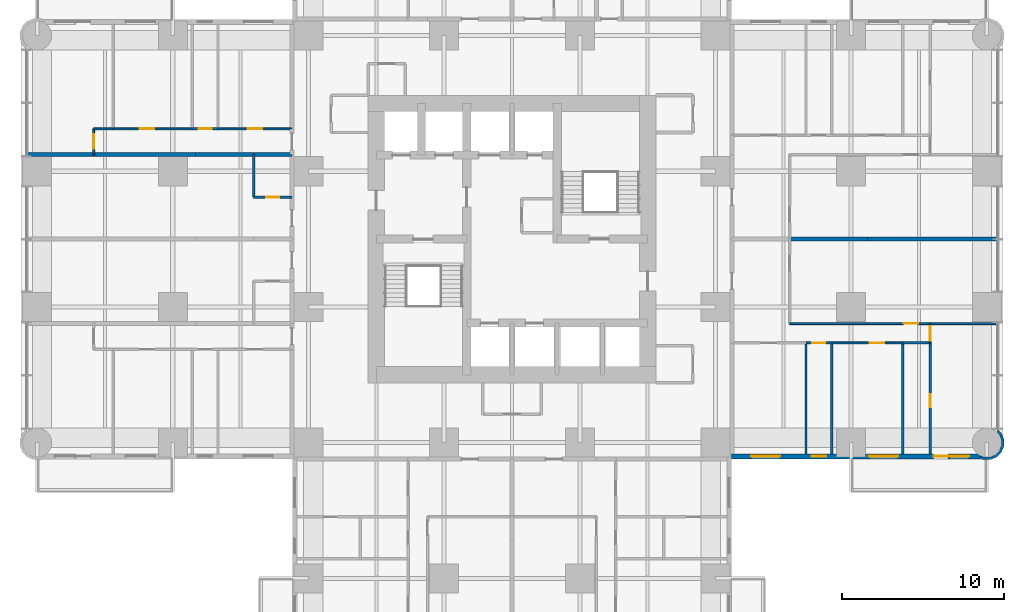
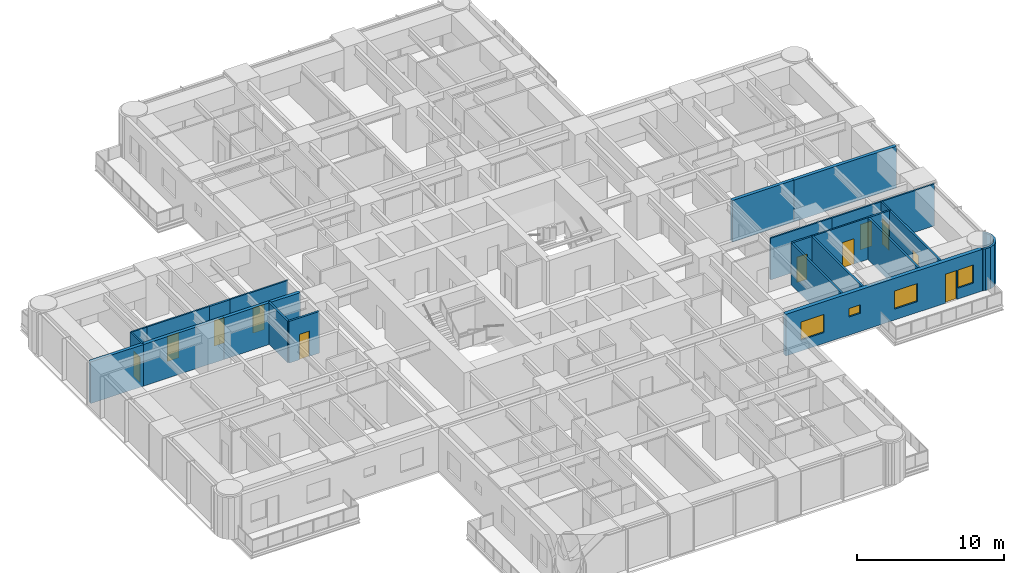
# One storey, part 11 of 17: 26 walls, 11 doors, 4 windows, 15 openings.
"""IFC4 building model written with IfcOpenShell, lengths in metres."""

from ifc_helpers import new_model, si_unit, direction, frame, frame_2d, origin, place, context, subcontext, project, spatial, polyline, rectangle, outline, extrude, material, layer, layer_set, type_object, element, fill, save


model = new_model("IFC4")

# Units and contexts
model_context = context("Model", 3, precision=1e-05, world=origin(), true_north=direction((0.0, 1.0)))
body_context = subcontext(model_context, "Body", "Model", "MODEL_VIEW")
ifc_project = project(units=[si_unit("LENGTHUNIT", "METRE"), si_unit("AREAUNIT", "SQUARE_METRE"), si_unit("VOLUMEUNIT", "CUBIC_METRE"), si_unit("PLANEANGLEUNIT", "RADIAN"), si_unit("MASSUNIT", "GRAM", prefix="KILO")], contexts=[model_context])

# Site, building, storey
site_placement = place(None, origin())
site = spatial("IfcSite", under=ifc_project, at=site_placement, CompositionType="ELEMENT")
building_placement = place(site_placement, origin())
building = spatial("IfcBuilding", under=site, at=building_placement, Name="Torre Alcanfor", CompositionType="ELEMENT")
storey_placement = place(building_placement, frame((0.0, 0.0, 63.300048828125)))
storey = spatial("IfcBuildingStorey", under=building, at=storey_placement, Name="L15", CompositionType="ELEMENT", Elevation=63.300048828125)

# Wall
ifc_material_1 = material(Name="Gypsum board on steel studs", Category="steel")
ifc_layer_1 = layer(ifc_material_1, 0.1201171875)
ifc_layer_set_1 = layer_set([ifc_layer_1], Name="Apartment partition 120")
wall_type_1 = type_object("IfcWallType", Name="Apartment partition 120", PredefinedType="PARTITIONING", material=ifc_layer_set_1)
wall_1_placement = place(storey_placement, frame((51.39990234375, 24.1708984375, 0.0), z_axis=(0.0, 0.0, 1.0), x_axis=(-1.0, 0.0, 0.0)))
element("IfcWall", 1, at=wall_1_placement, inside=storey, type_object=wall_type_1, Name="Partition L15-E2-KITCHEN / L15-E2-HALL", PredefinedType="PARTITIONING", context=body_context, shape_type="SweptSolid", body=[
    extrude(rectangle(XDim=4.7998046875, YDim=0.1201171875, at=frame_2d((2.39990234375, 0.0))), origin(), (0.0, 0.0, 1.0), 3.449951171875),
])

# Wall, opening, door
wall_2_placement = place(storey_placement, frame((55.300048828125, 24.1708984375, 0.0), z_axis=(0.0, 0.0, 1.0), x_axis=(-1.0, 0.0, 0.0)))
wall_2 = element("IfcWall", 2, at=wall_2_placement, inside=storey, type_object=wall_type_1, Name="Partition L15-E2-LIVING / L15-E2-HALL", PredefinedType="PARTITIONING", context=body_context, shape_type="SweptSolid", body=[
    extrude(rectangle(XDim=3.900146484375, YDim=0.1201171875, at=frame_2d((1.9501953125, 0.0))), origin(), (0.0, 0.0, 1.0), 3.449951171875),
])
opening_1_placement = place(wall_2_placement, frame((0.75, 0.0, 0.0)))
opening_1 = element("IfcOpeningElement", 3, at=opening_1_placement, cuts=wall_2, Name="Opening D-R1", PredefinedType="OPENING", context=body_context, shape_type="SweptSolid", body=[
    extrude(rectangle(XDim=0.89990234375, YDim=2.10009765625, at=frame_2d((0.449951171875, 1.050048828125))), frame((0.0, 0.070068359375, 0.0), z_axis=(0.0, -1.0, 0.0), x_axis=(1.0, 0.0, 0.0)), (0.0, 0.0, 1.0), 0.14013671875),
])
ifc_material_2 = material(Name="Timber", Category="wood")
door_type_1 = type_object("IfcDoorType", Name="Internal door 900x2100", OperationType="SINGLE_SWING_LEFT", PredefinedType="DOOR", material=ifc_material_2)
door_1_placement = place(opening_1_placement, frame((0.89990234375, 0.0, 0.0), z_axis=(0.0, 0.0, 1.0), x_axis=(-1.0, 0.0, 0.0)))
door_1 = element("IfcDoor", 4, at=door_1_placement, inside=storey, type_object=door_type_1, Name="Door L15-E2 living", OperationType="SINGLE_SWING_LEFT", OverallHeight=2.10009765625, OverallWidth=0.89990234375, PredefinedType="DOOR", context=body_context, shape_type="SweptSolid", body=[
    extrude(rectangle(XDim=0.89990234375, YDim=2.10009765625, at=frame_2d((0.449951171875, 1.050048828125))), frame((0.0, 0.025146484375, 0.0), z_axis=(0.0, -1.0, 0.0), x_axis=(1.0, 0.0, 0.0)), (0.0, 0.0, 1.0), 0.050048828125),
])
fill(opening_1, door_1)

# Wall
wall_3_placement = place(storey_placement, frame((59.449951171875, 24.1708984375, 0.0), z_axis=(0.0, 0.0, 1.0), x_axis=(-1.0, 0.0, 0.0)))
element("IfcWall", 5, at=wall_3_placement, inside=storey, type_object=wall_type_1, Name="Partition L15-E2-LIVING / L15-E2-MASTER", PredefinedType="PARTITIONING", context=body_context, shape_type="SweptSolid", body=[
    extrude(rectangle(XDim=4.14990234375, YDim=0.1201171875, at=frame_2d((2.074951171875, 0.0))), origin(), (0.0, 0.0, 1.0), 3.449951171875),
])

# Wall, opening, door
wall_4_placement = place(storey_placement, frame((53.60009765625, 22.970947265625, 0.0), z_axis=(0.0, 0.0, 1.0), x_axis=(-1.0, 0.0, 0.0)))
wall_4 = element("IfcWall", 6, at=wall_4_placement, inside=storey, type_object=wall_type_1, Name="Partition L15-E2-HALL / L15-E2-BED2", PredefinedType="PARTITIONING", context=body_context, shape_type="SweptSolid", body=[
    extrude(rectangle(XDim=4.400146484375, YDim=0.1201171875, at=frame_2d((2.2001953125, 0.0))), origin(), (0.0, 0.0, 1.0), 3.449951171875),
])
opening_2_placement = place(wall_4_placement, frame((1.14990234375, 0.0, 0.0)))
opening_2 = element("IfcOpeningElement", 7, at=opening_2_placement, cuts=wall_4, Name="Opening D-R1", PredefinedType="OPENING", context=body_context, shape_type="SweptSolid", body=[
    extrude(rectangle(XDim=0.89990234375, YDim=2.10009765625, at=frame_2d((0.449951171875, 1.050048828125))), frame((0.0, 0.070068359375, 0.0), z_axis=(0.0, -1.0, 0.0), x_axis=(1.0, 0.0, 0.0)), (0.0, 0.0, 1.0), 0.14013671875),
])
door_2_placement = place(opening_2_placement, origin())
door_2 = element("IfcDoor", 8, at=door_2_placement, inside=storey, type_object=door_type_1, Name="Door L15-E2 bed2", OperationType="SINGLE_SWING_LEFT", OverallHeight=2.10009765625, OverallWidth=0.89990234375, PredefinedType="DOOR", context=body_context, shape_type="SweptSolid", body=[
    extrude(rectangle(XDim=0.89990234375, YDim=2.10009765625, at=frame_2d((0.449951171875, 1.050048828125))), frame((0.0, 0.02490234375, 0.0), z_axis=(0.0, -1.0, 0.0), x_axis=(1.0, 0.0, 0.0)), (0.0, 0.0, 1.0), 0.050048828125),
])
fill(opening_2, door_2)

wall_5_placement = place(storey_placement, frame((55.300048828125, 24.1708984375, 0.0), z_axis=(0.0, 0.0, 1.0), x_axis=(0.0, -1.0, 0.0)))
wall_5 = element("IfcWall", 9, at=wall_5_placement, inside=storey, type_object=wall_type_1, Name="Partition L15-E2-HALL / L15-E2-MASTER", PredefinedType="PARTITIONING", context=body_context, shape_type="SweptSolid", body=[
    extrude(rectangle(XDim=1.199951171875, YDim=0.1201171875, at=frame_2d((0.60009765625, 0.0))), origin(), (0.0, 0.0, 1.0), 3.449951171875),
])
opening_3_placement = place(wall_5_placement, frame((0.15087890625, 0.0, 0.0)))
opening_3 = element("IfcOpeningElement", 10, at=opening_3_placement, cuts=wall_5, Name="Opening D-R1", PredefinedType="OPENING", context=body_context, shape_type="SweptSolid", body=[
    extrude(rectangle(XDim=0.89990234375, YDim=2.10009765625, at=frame_2d((0.449951171875, 1.050048828125))), frame((0.0, 0.070068359375, 0.0), z_axis=(0.0, -1.0, 0.0), x_axis=(1.0, 0.0, 0.0)), (0.0, 0.0, 1.0), 0.14013671875),
])
door_3_placement = place(opening_3_placement, origin())
door_3 = element("IfcDoor", 11, at=door_3_placement, inside=storey, type_object=door_type_1, Name="Door L15-E2 master", OperationType="SINGLE_SWING_LEFT", OverallHeight=2.10009765625, OverallWidth=0.89990234375, PredefinedType="DOOR", context=body_context, shape_type="SweptSolid", body=[
    extrude(rectangle(XDim=0.89990234375, YDim=2.10009765625, at=frame_2d((0.449951171875, 1.050048828125))), frame((0.0, 0.02490234375, 0.0), z_axis=(0.0, -1.0, 0.0), x_axis=(1.0, 0.0, 0.0)), (0.0, 0.0, 1.0), 0.050048828125),
])
fill(opening_3, door_3)

wall_6_placement = place(storey_placement, frame((11.199951171875, 36.22900390625, 0.0), z_axis=(0.0, 0.0, 1.0), x_axis=(1.0, 0.0, 0.0)))
wall_6 = element("IfcWall", 12, at=wall_6_placement, inside=storey, type_object=wall_type_1, Name="Partition L15-W2B-HALL / L15-W2B-BED2", PredefinedType="PARTITIONING", context=body_context, shape_type="SweptSolid", body=[
    extrude(rectangle(XDim=4.574951171875, YDim=0.1201171875, at=frame_2d((2.28759765625, 0.0))), origin(), (0.0, 0.0, 1.0), 3.449951171875),
])
opening_4_placement = place(wall_6_placement, frame((1.85009765625, 0.0, 0.0)))
opening_4 = element("IfcOpeningElement", 13, at=opening_4_placement, cuts=wall_6, Name="Opening D-R1", PredefinedType="OPENING", context=body_context, shape_type="SweptSolid", body=[
    extrude(rectangle(XDim=0.89990234375, YDim=2.10009765625, at=frame_2d((0.449951171875, 1.050048828125))), frame((0.0, 0.070068359375, 0.0), z_axis=(0.0, -1.0, 0.0), x_axis=(1.0, 0.0, 0.0)), (0.0, 0.0, 1.0), 0.14013671875),
])
door_4_placement = place(opening_4_placement, origin())
door_4 = element("IfcDoor", 14, at=door_4_placement, inside=storey, type_object=door_type_1, Name="Door L15-W2B bed2", OperationType="SINGLE_SWING_RIGHT", OverallHeight=2.10009765625, OverallWidth=0.89990234375, PredefinedType="DOOR", context=body_context, shape_type="SweptSolid", body=[
    extrude(rectangle(XDim=0.89990234375, YDim=2.10009765625, at=frame_2d((0.449951171875, 1.050048828125))), frame((0.0, 0.02490234375, 0.0), z_axis=(0.0, -1.0, 0.0), x_axis=(1.0, 0.0, 0.0)), (0.0, 0.0, 1.0), 0.050048828125),
])
fill(opening_4, door_4)

wall_7_placement = place(storey_placement, frame((4.699951171875, 36.22900390625, 0.0), z_axis=(0.0, 0.0, 1.0), x_axis=(1.0, 0.0, 0.0)))
wall_7 = element("IfcWall", 15, at=wall_7_placement, inside=storey, type_object=wall_type_1, Name="Partition L15-W2B-HALL / L15-W2B-MASTER", PredefinedType="PARTITIONING", context=body_context, shape_type="SweptSolid", body=[
    extrude(rectangle(XDim=4.900146484375, YDim=0.1201171875, at=frame_2d((2.4501953125, 0.0))), origin(), (0.0, 0.0, 1.0), 3.449951171875),
])
opening_5_placement = place(wall_7_placement, frame((1.64990234375, 0.0, 0.0)))
opening_5 = element("IfcOpeningElement", 16, at=opening_5_placement, cuts=wall_7, Name="Opening D-R1", PredefinedType="OPENING", context=body_context, shape_type="SweptSolid", body=[
    extrude(rectangle(XDim=0.89990234375, YDim=2.10009765625, at=frame_2d((0.449951171875, 1.050048828125))), frame((0.0, 0.070068359375, 0.0), z_axis=(0.0, -1.0, 0.0), x_axis=(1.0, 0.0, 0.0)), (0.0, 0.0, 1.0), 0.14013671875),
])
door_5_placement = place(opening_5_placement, origin())
door_5 = element("IfcDoor", 17, at=door_5_placement, inside=storey, type_object=door_type_1, Name="Door L15-W2B master", OperationType="SINGLE_SWING_LEFT", OverallHeight=2.10009765625, OverallWidth=0.89990234375, PredefinedType="DOOR", context=body_context, shape_type="SweptSolid", body=[
    extrude(rectangle(XDim=0.89990234375, YDim=2.10009765625, at=frame_2d((0.449951171875, 1.050048828125))), frame((0.0, 0.02490234375, 0.0), z_axis=(0.0, -1.0, 0.0), x_axis=(1.0, 0.0, 0.0)), (0.0, 0.0, 1.0), 0.050048828125),
])
fill(opening_5, door_5)

# Wall
wall_8_placement = place(storey_placement, frame((3.5, 36.22900390625, 0.0), z_axis=(0.0, 0.0, 1.0), x_axis=(1.0, 0.0, 0.0)))
element("IfcWall", 18, at=wall_8_placement, inside=storey, type_object=wall_type_1, Name="Partition L15-W2B-HALL / L15-W2B-KITCHEN", PredefinedType="PARTITIONING", context=body_context, shape_type="SweptSolid", body=[
    extrude(rectangle(XDim=1.199951171875, YDim=0.1201171875, at=frame_2d((0.60009765625, 0.0))), origin(), (0.0, 0.0, 1.0), 3.449951171875),
])

# Wall, opening, door
wall_9_placement = place(storey_placement, frame((3.5, 34.62890625, 0.0), z_axis=(0.0, 0.0, 1.0), x_axis=(0.0, 1.0, 0.0)))
wall_9 = element("IfcWall", 19, at=wall_9_placement, inside=storey, type_object=wall_type_1, Name="Partition L15-W2B-HALL / L15-W2B-LIVING", PredefinedType="PARTITIONING", context=body_context, shape_type="SweptSolid", body=[
    extrude(rectangle(XDim=1.60009765625, YDim=0.1201171875, at=frame_2d((0.800048828125, 0.0))), origin(), (0.0, 0.0, 1.0), 3.449951171875),
])
opening_6_placement = place(wall_9_placement, frame((0.35009765625, 0.0, 0.0)))
opening_6 = element("IfcOpeningElement", 20, at=opening_6_placement, cuts=wall_9, Name="Opening D-R1", PredefinedType="OPENING", context=body_context, shape_type="SweptSolid", body=[
    extrude(rectangle(XDim=0.89990234375, YDim=2.10009765625, at=frame_2d((0.449951171875, 1.050048828125))), frame((0.0, 0.070068359375, 0.0), z_axis=(0.0, -1.0, 0.0), x_axis=(1.0, 0.0, 0.0)), (0.0, 0.0, 1.0), 0.14013671875),
])
door_6_placement = place(opening_6_placement, origin())
door_6 = element("IfcDoor", 21, at=door_6_placement, inside=storey, type_object=door_type_1, Name="Door L15-W2B living", OperationType="SINGLE_SWING_LEFT", OverallHeight=2.10009765625, OverallWidth=0.89990234375, PredefinedType="DOOR", context=body_context, shape_type="SweptSolid", body=[
    extrude(rectangle(XDim=0.89990234375, YDim=2.10009765625, at=frame_2d((0.449951171875, 1.050048828125))), frame((0.0, 0.02490234375, 0.0), z_axis=(0.0, -1.0, 0.0), x_axis=(1.0, 0.0, 0.0)), (0.0, 0.0, 1.0), 0.050048828125),
])
fill(opening_6, door_6)

# Wall, openings, door, windows
ifc_material_3 = material(Name="Limestone cladding", Category="masonry")
ifc_layer_2 = layer(ifc_material_3, 0.0400390625, Name="Facing")
ifc_material_4 = material(Name="Ventilated air cavity")
ifc_layer_3 = layer(ifc_material_4, 0.02001953125, ventilated=True, Name="Ventilated joint")
ifc_material_5 = material(Name="Mineral wool insulation", Category="insulation")
ifc_layer_4 = layer(ifc_material_5, 0.10009765625, Name="Insulation")
ifc_material_6 = material(Name="Concrete f'c 35 MPa", Category="concrete")
ifc_layer_5 = layer(ifc_material_6, 0.139892578125, Name="Backing")
ifc_layer_set_2 = layer_set([ifc_layer_2, ifc_layer_3, ifc_layer_4, ifc_layer_5], Name="External wall stone-clad 300")
wall_type_2 = type_object("IfcWallType", Name="External wall stone-clad 300", PredefinedType="SOLIDWALL", material=ifc_layer_set_2)
wall_10_placement = place(storey_placement, frame((43.0, 15.949951171875, 0.0), z_axis=(0.0, 0.0, 1.0), x_axis=(1.0, 0.0, 0.0)))
wall_10 = element("IfcWall", 22, at=wall_10_placement, inside=storey, type_object=wall_type_2, Name="External wall L15 7", PredefinedType="SOLIDWALL", context=body_context, shape_type="SweptSolid", body=[
    extrude(rectangle(XDim=15.39990234375, YDim=0.300048828125, at=frame_2d((7.699951171875, 0.0))), origin(), (0.0, 0.0, 1.0), 3.449951171875),
])
opening_7_placement = place(wall_10_placement, frame((1.199951171875, 0.0, 0.89990234375)))
opening_7 = element("IfcOpeningElement", 23, at=opening_7_placement, cuts=wall_10, Name="Opening W2", PredefinedType="OPENING", context=body_context, shape_type="SweptSolid", body=[
    extrude(rectangle(XDim=1.800048828125, YDim=1.5, at=frame_2d((0.89990234375, 0.75))), frame((0.0, 0.159912109375, 0.0), z_axis=(0.0, -1.0, 0.0), x_axis=(1.0, 0.0, 0.0)), (0.0, 0.0, 1.0), 0.320068359375),
])
opening_8_placement = place(wall_10_placement, frame((4.949951171875, 0.0, 1.5)))
opening_8 = element("IfcOpeningElement", 24, at=opening_8_placement, cuts=wall_10, Name="Opening W3", PredefinedType="OPENING", context=body_context, shape_type="SweptSolid", body=[
    extrude(rectangle(XDim=0.89990234375, YDim=0.699951171875, at=frame_2d((0.449951171875, 0.35009765625))), frame((0.0, 0.159912109375, 0.0), z_axis=(0.0, -1.0, 0.0), x_axis=(1.0, 0.0, 0.0)), (0.0, 0.0, 1.0), 0.320068359375),
])
opening_9_placement = place(wall_10_placement, frame((8.5, 0.0, 0.89990234375)))
opening_9 = element("IfcOpeningElement", 25, at=opening_9_placement, cuts=wall_10, Name="Opening W2", PredefinedType="OPENING", context=body_context, shape_type="SweptSolid", body=[
    extrude(rectangle(XDim=1.800048828125, YDim=1.5, at=frame_2d((0.89990234375, 0.75))), frame((0.0, 0.159912109375, 0.0), z_axis=(0.0, -1.0, 0.0), x_axis=(1.0, 0.0, 0.0)), (0.0, 0.0, 1.0), 0.320068359375),
])
opening_10_placement = place(wall_10_placement, frame((12.5, 0.0, 0.0)))
opening_10 = element("IfcOpeningElement", 26, at=opening_10_placement, cuts=wall_10, Name="Opening D-B1", PredefinedType="OPENING", context=body_context, shape_type="SweptSolid", body=[
    extrude(rectangle(XDim=0.89990234375, YDim=2.39990234375, at=frame_2d((0.449951171875, 1.199951171875))), frame((0.0, 0.159912109375, 0.0), z_axis=(0.0, -1.0, 0.0), x_axis=(1.0, 0.0, 0.0)), (0.0, 0.0, 1.0), 0.320068359375),
])
opening_11_placement = place(wall_10_placement, frame((13.5, 0.0, 0.89990234375)))
opening_11 = element("IfcOpeningElement", 27, at=opening_11_placement, cuts=wall_10, Name="Opening W4", PredefinedType="OPENING", context=body_context, shape_type="SweptSolid", body=[
    extrude(rectangle(XDim=1.199951171875, YDim=1.5, at=frame_2d((0.60009765625, 0.75))), frame((0.0, 0.159912109375, 0.0), z_axis=(0.0, -1.0, 0.0), x_axis=(1.0, 0.0, 0.0)), (0.0, 0.0, 1.0), 0.320068359375),
])
ifc_material_7 = material(Name="Aluminium and glass", Category="aluminium")
door_type_2 = type_object("IfcDoorType", Name="Balcony door glazed 900x2400", OperationType="SINGLE_SWING_LEFT", PredefinedType="DOOR", material=ifc_material_7)
door_7_placement = place(opening_10_placement, origin())
door_7 = element("IfcDoor", 28, at=door_7_placement, inside=storey, type_object=door_type_2, Name="Balcony door L15-E2", OperationType="SINGLE_SWING_LEFT", OverallHeight=2.39990234375, OverallWidth=0.89990234375, PredefinedType="DOOR", context=body_context, shape_type="SweptSolid", body=[
    extrude(rectangle(XDim=0.89990234375, YDim=2.39990234375, at=frame_2d((0.449951171875, 1.199951171875))), frame((0.0, 0.02490234375, 0.0), z_axis=(0.0, -1.0, 0.0), x_axis=(1.0, 0.0, 0.0)), (0.0, 0.0, 1.0), 0.050048828125),
])
fill(opening_10, door_7)
ifc_material_8 = material(Name="Aluminium frame with clear double glazing", Category="aluminium")
window_type_1 = type_object("IfcWindowType", Name="Window bathroom 900x700", PartitioningType="SINGLE_PANEL", PredefinedType="WINDOW", material=ifc_material_8)
window_1_placement = place(opening_8_placement, origin())
window_1 = element("IfcWindow", 29, at=window_1_placement, inside=storey, type_object=window_type_1, Name="Window W3 L15-E2", OverallHeight=0.699951171875, OverallWidth=0.89990234375, PartitioningType="SINGLE_PANEL", PredefinedType="WINDOW", context=body_context, shape_type="SweptSolid", body=[
    extrude(rectangle(XDim=0.89990234375, YDim=0.699951171875, at=frame_2d((0.449951171875, 0.35009765625))), frame((0.0, 0.030029296875, 0.0), z_axis=(0.0, -1.0, 0.0), x_axis=(1.0, 0.0, 0.0)), (0.0, 0.0, 1.0), 0.06005859375),
])
fill(opening_8, window_1)
ifc_material_9 = material(Name="Aluminium frame with clear double glazing", Category="aluminium")
window_type_2 = type_object("IfcWindowType", Name="Window bedroom 1200x1500", PartitioningType="SINGLE_PANEL", PredefinedType="WINDOW", material=ifc_material_9)
window_2_placement = place(opening_11_placement, origin())
window_2 = element("IfcWindow", 30, at=window_2_placement, inside=storey, type_object=window_type_2, Name="Window W4 L15-E2", OverallHeight=1.5, OverallWidth=1.199951171875, PartitioningType="SINGLE_PANEL", PredefinedType="WINDOW", context=body_context, shape_type="SweptSolid", body=[
    extrude(rectangle(XDim=1.199951171875, YDim=1.5, at=frame_2d((0.60009765625, 0.75))), frame((0.0, 0.030029296875, 0.0), z_axis=(0.0, -1.0, 0.0), x_axis=(1.0, 0.0, 0.0)), (0.0, 0.0, 1.0), 0.06005859375),
])
fill(opening_11, window_2)
ifc_material_10 = material(Name="Aluminium frame with clear double glazing", Category="aluminium")
window_type_3 = type_object("IfcWindowType", Name="Window bedroom 1800x1500", PartitioningType="SINGLE_PANEL", PredefinedType="WINDOW", material=ifc_material_10)
window_3_placement = place(opening_7_placement, origin())
window_3 = element("IfcWindow", 31, at=window_3_placement, inside=storey, type_object=window_type_3, Name="Window W2 L15-E2", OverallHeight=1.5, OverallWidth=1.800048828125, PartitioningType="SINGLE_PANEL", PredefinedType="WINDOW", context=body_context, shape_type="SweptSolid", body=[
    extrude(rectangle(XDim=1.800048828125, YDim=1.5, at=frame_2d((0.89990234375, 0.75))), frame((0.0, 0.030029296875, 0.0), z_axis=(0.0, -1.0, 0.0), x_axis=(1.0, 0.0, 0.0)), (0.0, 0.0, 1.0), 0.06005859375),
])
fill(opening_7, window_3)
window_4_placement = place(opening_9_placement, origin())
window_4 = element("IfcWindow", 32, at=window_4_placement, inside=storey, type_object=window_type_3, Name="Window W2 L15-E2", OverallHeight=1.5, OverallWidth=1.800048828125, PartitioningType="SINGLE_PANEL", PredefinedType="WINDOW", context=body_context, shape_type="SweptSolid", body=[
    extrude(rectangle(XDim=1.800048828125, YDim=1.5, at=frame_2d((0.89990234375, 0.75))), frame((0.0, 0.030029296875, 0.0), z_axis=(0.0, -1.0, 0.0), x_axis=(1.0, 0.0, 0.0)), (0.0, 0.0, 1.0), 0.06005859375),
])
fill(opening_9, window_4)

# Walls
ifc_material_11 = material(Name="Concrete block masonry, hollow blocks NMX-C-404 9 MPa", Category="masonry")
ifc_layer_6 = layer(ifc_material_11, 0.25)
ifc_layer_set_3 = layer_set([ifc_layer_6], Name="Party wall 250 EI 60")
wall_type_3 = type_object("IfcWallType", Name="Party wall 250 EI 60", PredefinedType="PARTITIONING", material=ifc_layer_set_3)
wall_11_placement = place(storey_placement, frame((46.60009765625, 29.39990234375, 0.0), z_axis=(0.0, 0.0, 1.0), x_axis=(1.0, 0.0, 0.0)))
element("IfcWall", 33, at=wall_11_placement, inside=storey, type_object=wall_type_3, Name="Partition L15-E1-KITCHEN / L15-E2-KITCHEN", PredefinedType="PARTITIONING", context=body_context, shape_type="SweptSolid", body=[
    extrude(rectangle(XDim=4.7998046875, YDim=0.25, at=frame_2d((2.39990234375, 0.0))), origin(), (0.0, 0.0, 1.0), 3.449951171875),
])
wall_12_placement = place(storey_placement, frame((51.39990234375, 29.39990234375, 0.0), z_axis=(0.0, 0.0, 1.0), x_axis=(1.0, 0.0, 0.0)))
element("IfcWall", 34, at=wall_12_placement, inside=storey, type_object=wall_type_3, Name="Partition L15-E1-LIVING / L15-E2-LIVING", PredefinedType="PARTITIONING", context=body_context, shape_type="SweptSolid", body=[
    extrude(rectangle(XDim=8.050048828125, YDim=0.25, at=frame_2d((4.02490234375, 0.0))), origin(), (0.0, 0.0, 1.0), 3.449951171875),
])
wall_13_placement = place(storey_placement, frame((13.39990234375, 34.62890625, 0.0), z_axis=(0.0, 0.0, 1.0), x_axis=(1.0, 0.0, 0.0)))
element("IfcWall", 35, at=wall_13_placement, inside=storey, type_object=wall_type_3, Name="Partition L15-W2A-BATH / L15-W2B-HALL", PredefinedType="PARTITIONING", context=body_context, shape_type="SweptSolid", body=[
    extrude(rectangle(XDim=2.375, YDim=0.25, at=frame_2d((1.1875, 0.0))), origin(), (0.0, 0.0, 1.0), 3.449951171875),
])
wall_14_placement = place(storey_placement, frame((9.800048828125, 34.62890625, 0.0), z_axis=(0.0, 0.0, 1.0), x_axis=(1.0, 0.0, 0.0)))
element("IfcWall", 36, at=wall_14_placement, inside=storey, type_object=wall_type_3, Name="Partition L15-W2A-KITCHEN / L15-W2B-HALL", PredefinedType="PARTITIONING", context=body_context, shape_type="SweptSolid", body=[
    extrude(rectangle(XDim=3.599853515625, YDim=0.25, at=frame_2d((1.7998046875, 0.0))), origin(), (0.0, 0.0, 1.0), 3.449951171875),
])
wall_15_placement = place(storey_placement, frame((3.5, 34.62890625, 0.0), z_axis=(0.0, 0.0, 1.0), x_axis=(1.0, 0.0, 0.0)))
element("IfcWall", 37, at=wall_15_placement, inside=storey, type_object=wall_type_3, Name="Partition L15-W2A-STUDIO / L15-W2B-HALL", PredefinedType="PARTITIONING", context=body_context, shape_type="SweptSolid", body=[
    extrude(rectangle(XDim=6.300048828125, YDim=0.25, at=frame_2d((3.14990234375, 0.0))), origin(), (0.0, 0.0, 1.0), 3.449951171875),
])
wall_16_placement = place(storey_placement, frame((-0.64990234375, 34.62890625, 0.0), z_axis=(0.0, 0.0, 1.0), x_axis=(1.0, 0.0, 0.0)))
element("IfcWall", 38, at=wall_16_placement, inside=storey, type_object=wall_type_3, Name="Partition L15-W2A-STUDIO / L15-W2B-LIVING", PredefinedType="PARTITIONING", context=body_context, shape_type="SweptSolid", body=[
    extrude(rectangle(XDim=4.14990234375, YDim=0.25, at=frame_2d((2.074951171875, 0.0))), origin(), (0.0, 0.0, 1.0), 3.449951171875),
])
ifc_layer_7 = layer(ifc_material_3, 0.0400390625, Name="Facing")
ifc_layer_8 = layer(ifc_material_4, 0.02001953125, ventilated=True, Name="Ventilated joint")
ifc_layer_9 = layer(ifc_material_5, 0.10009765625, Name="Insulation")
ifc_layer_10 = layer(ifc_material_6, 0.139892578125, Name="Backing")
ifc_layer_set_4 = layer_set([ifc_layer_7, ifc_layer_8, ifc_layer_9, ifc_layer_10], Name="Rounded corner pier stone-clad 300")
wall_type_4 = type_object("IfcWallType", Name="Rounded corner pier stone-clad 300", PredefinedType="SOLIDWALL", material=ifc_layer_set_4)
wall_17_placement = place(storey_placement, frame((58.436037137, 15.890092843, 0.0), z_axis=(0.0, 0.0, 1.0), x_axis=(0.926129809145, -0.377204953059, 0.0)))
element("IfcWall", 39, at=wall_17_placement, inside=storey, type_object=wall_type_4, Name="Corner pier L15 17", PredefinedType="SOLIDWALL", context=body_context, shape_type="SweptSolid", body=[
    extrude(outline(polyline([(0.769166837716128, 1.7276108100514604), (0.7500653632983351, 1.7227306908268178), (0.5995000244675756, 1.8749338844742405), (0.2945752424497483, 2.003546223814982), (0.2810088878235957, 1.9980207606354041), (0.36029928445054193, 1.803343571750114), (0.5086711604613772, 1.740666542271283), (0.7606181499848057, 1.4858220995022824), (0.8958078157784841, 1.153898622982415), (0.8937038530249802, 0.7953177307388815), (0.7545964309992416, 0.4650292826997394), (0.49975198823024103, 0.21308229317631072), (0.16782851171037358, 0.07789262738263233), (-0.0998950178182167, 0.07956887308382314), (0.0004995392280573718, -0.09702266930253471), (0.03004451591433495, -0.08024419760165923), (0.19838601885213236, -0.08127415720020953), (0.5888709261748919, 0.07776709131864781), (0.888863773202199, 0.37420041869354087), (1.0524038230869968, 0.7629450169505976), (1.0552007062717619, 1.1845482211771667), (0.8961594577529046, 1.5750331284999262), (0.777713405588319, 1.694976661367872), (0.769166837716128, 1.7276108100514604)])), origin(), (0.0, 0.0, 1.0), 3.449951171875),
])

# Wall, opening, door
ifc_material_12 = material(Name="Cement board on steel studs", Category="steel")
ifc_layer_11 = layer(ifc_material_12, 0.14990234375)
ifc_layer_set_5 = layer_set([ifc_layer_11], Name="Wet area partition 150")
wall_type_5 = type_object("IfcWallType", Name="Wet area partition 150", PredefinedType="PARTITIONING", material=ifc_layer_set_5)
wall_18_placement = place(storey_placement, frame((49.199951171875, 22.970947265625, 0.0), z_axis=(0.0, 0.0, 1.0), x_axis=(-1.0, 0.0, 0.0)))
wall_18 = element("IfcWall", 40, at=wall_18_placement, inside=storey, type_object=wall_type_5, Name="Partition L15-E2-HALL / L15-E2-BATH1", PredefinedType="PARTITIONING", context=body_context, shape_type="SweptSolid", body=[
    extrude(rectangle(XDim=1.599853515625, YDim=0.14990234375, at=frame_2d((0.7998046875, 0.0))), origin(), (0.0, 0.0, 1.0), 3.449951171875),
])
opening_12_placement = place(wall_18_placement, frame((0.39990234375, 0.0, 0.0)))
opening_12 = element("IfcOpeningElement", 41, at=opening_12_placement, cuts=wall_18, Name="Opening D-R2", PredefinedType="OPENING", context=body_context, shape_type="SweptSolid", body=[
    extrude(rectangle(XDim=0.800048828125, YDim=2.10009765625, at=frame_2d((0.39990234375, 1.050048828125))), frame((0.0, 0.0849609375, 0.0), z_axis=(0.0, -1.0, 0.0), x_axis=(1.0, 0.0, 0.0)), (0.0, 0.0, 1.0), 0.169921875),
])
ifc_material_13 = material(Name="Timber", Category="wood")
door_type_3 = type_object("IfcDoorType", Name="Bathroom door 800x2100", OperationType="SINGLE_SWING_LEFT", PredefinedType="DOOR", material=ifc_material_13)
door_8_placement = place(opening_12_placement, origin())
door_8 = element("IfcDoor", 42, at=door_8_placement, inside=storey, type_object=door_type_3, Name="Door L15-E2 bath1", OperationType="SINGLE_SWING_LEFT", OverallHeight=2.10009765625, OverallWidth=0.800048828125, PredefinedType="DOOR", context=body_context, shape_type="SweptSolid", body=[
    extrude(rectangle(XDim=0.800048828125, YDim=2.10009765625, at=frame_2d((0.39990234375, 1.050048828125))), frame((0.0, 0.02490234375, 0.0), z_axis=(0.0, -1.0, 0.0), x_axis=(1.0, 0.0, 0.0)), (0.0, 0.0, 1.0), 0.050048828125),
])
fill(opening_12, door_8)

# Walls
wall_19_placement = place(storey_placement, frame((55.300048828125, 22.970947265625, 0.0), z_axis=(0.0, 0.0, 1.0), x_axis=(-1.0, 0.0, 0.0)))
element("IfcWall", 43, at=wall_19_placement, inside=storey, type_object=wall_type_5, Name="Partition L15-E2-HALL / L15-E2-ENSBATH", PredefinedType="PARTITIONING", context=body_context, shape_type="SweptSolid", body=[
    extrude(rectangle(XDim=1.699951171875, YDim=0.14990234375, at=frame_2d((0.85009765625, 0.0))), origin(), (0.0, 0.0, 1.0), 3.449951171875),
])
for number, where, z_axis, x_axis, name in (
    (44, (47.60009765625, 22.970947265625, 0.0), (0.0, 0.0, 1.0), (0.0, -1.0, 0.0), "Partition L15-E2-BED3 / L15-E2-BATH1"),
    (45, (49.199951171875, 22.970947265625, 0.0), (0.0, 0.0, 1.0), (0.0, -1.0, 0.0), "Partition L15-E2-BATH1 / L15-E2-BED2"),
    (46, (53.60009765625, 22.970947265625, 0.0), (0.0, 0.0, 1.0), (0.0, -1.0, 0.0), "Partition L15-E2-BED2 / L15-E2-ENSBATH"),
):
    element("IfcWall", number, at=place(storey_placement, frame(where, z_axis=z_axis, x_axis=x_axis)), inside=storey, type_object=wall_type_5, Name=name, PredefinedType="PARTITIONING", context=body_context, shape_type="SweptSolid", body=[
        extrude(rectangle(XDim=6.870849609375, YDim=0.14990234375, at=frame_2d((3.435546875, 0.0))), origin(), (0.0, 0.0, 1.0), 3.449951171875),
    ])

# Wall, opening, door
wall_20_placement = place(storey_placement, frame((55.300048828125, 22.970947265625, 0.0), z_axis=(0.0, 0.0, 1.0), x_axis=(0.0, -1.0, 0.0)))
wall_20 = element("IfcWall", 47, at=wall_20_placement, inside=storey, type_object=wall_type_5, Name="Partition L15-E2-ENSBATH / L15-E2-MASTER", PredefinedType="PARTITIONING", context=body_context, shape_type="SweptSolid", body=[
    extrude(rectangle(XDim=6.870849609375, YDim=0.14990234375, at=frame_2d((3.435546875, 0.0))), origin(), (0.0, 0.0, 1.0), 3.449951171875),
])
opening_13_placement = place(wall_20_placement, frame((3.1708984375, 0.0, 0.0)))
opening_13 = element("IfcOpeningElement", 48, at=opening_13_placement, cuts=wall_20, Name="Opening D-R2", PredefinedType="OPENING", context=body_context, shape_type="SweptSolid", body=[
    extrude(rectangle(XDim=0.800048828125, YDim=2.10009765625, at=frame_2d((0.39990234375, 1.050048828125))), frame((0.0, 0.0849609375, 0.0), z_axis=(0.0, -1.0, 0.0), x_axis=(1.0, 0.0, 0.0)), (0.0, 0.0, 1.0), 0.169921875),
])
door_9_placement = place(opening_13_placement, frame((0.800048828125, 0.0, 0.0), z_axis=(0.0, 0.0, 1.0), x_axis=(-1.0, 0.0, 0.0)))
door_9 = element("IfcDoor", 49, at=door_9_placement, inside=storey, type_object=door_type_3, Name="Door L15-E2 ensbath", OperationType="SINGLE_SWING_LEFT", OverallHeight=2.10009765625, OverallWidth=0.800048828125, PredefinedType="DOOR", context=body_context, shape_type="SweptSolid", body=[
    extrude(rectangle(XDim=0.800048828125, YDim=2.10009765625, at=frame_2d((0.400146484375, 1.050048828125))), frame((0.0, 0.025146484375, 0.0), z_axis=(0.0, -1.0, 0.0), x_axis=(1.0, 0.0, 0.0)), (0.0, 0.0, 1.0), 0.050048828125),
])
fill(opening_13, door_9)

wall_21_placement = place(storey_placement, frame((13.39990234375, 32.0, 0.0), z_axis=(0.0, 0.0, 1.0), x_axis=(1.0, 0.0, 0.0)))
wall_21 = element("IfcWall", 50, at=wall_21_placement, inside=storey, type_object=wall_type_5, Name="Partition L15-W2A-FOYER / L15-W2A-BATH", PredefinedType="PARTITIONING", context=body_context, shape_type="SweptSolid", body=[
    extrude(rectangle(XDim=2.375, YDim=0.14990234375, at=frame_2d((1.1875, 0.0))), origin(), (0.0, 0.0, 1.0), 3.449951171875),
])
opening_14_placement = place(wall_21_placement, frame((0.800048828125, 0.0, 0.0)))
opening_14 = element("IfcOpeningElement", 51, at=opening_14_placement, cuts=wall_21, Name="Opening D-R2", PredefinedType="OPENING", context=body_context, shape_type="SweptSolid", body=[
    extrude(rectangle(XDim=0.800048828125, YDim=2.10009765625, at=frame_2d((0.39990234375, 1.050048828125))), frame((0.0, 0.0849609375, 0.0), z_axis=(0.0, -1.0, 0.0), x_axis=(1.0, 0.0, 0.0)), (0.0, 0.0, 1.0), 0.169921875),
])
door_10_placement = place(opening_14_placement, origin())
door_10 = element("IfcDoor", 52, at=door_10_placement, inside=storey, type_object=door_type_3, Name="Door L15-W2A bath", OperationType="SINGLE_SWING_RIGHT", OverallHeight=2.10009765625, OverallWidth=0.800048828125, PredefinedType="DOOR", context=body_context, shape_type="SweptSolid", body=[
    extrude(rectangle(XDim=0.800048828125, YDim=2.10009765625, at=frame_2d((0.39990234375, 1.050048828125))), frame((0.0, 0.02490234375, 0.0), z_axis=(0.0, -1.0, 0.0), x_axis=(1.0, 0.0, 0.0)), (0.0, 0.0, 1.0), 0.050048828125),
])
fill(opening_14, door_10)

# Wall
wall_22_placement = place(storey_placement, frame((13.39990234375, 32.0, 0.0), z_axis=(0.0, 0.0, 1.0), x_axis=(0.0, 1.0, 0.0)))
element("IfcWall", 53, at=wall_22_placement, inside=storey, type_object=wall_type_5, Name="Partition L15-W2A-BATH / L15-W2A-KITCHEN", PredefinedType="PARTITIONING", context=body_context, shape_type="SweptSolid", body=[
    extrude(rectangle(XDim=2.62890625, YDim=0.14990234375, at=frame_2d((1.314453125, 0.0))), origin(), (0.0, 0.0, 1.0), 3.449951171875),
])

# Wall, opening, door
wall_23_placement = place(storey_placement, frame((9.60009765625, 36.22900390625, 0.0), z_axis=(0.0, 0.0, 1.0), x_axis=(1.0, 0.0, 0.0)))
wall_23 = element("IfcWall", 54, at=wall_23_placement, inside=storey, type_object=wall_type_5, Name="Partition L15-W2B-HALL / L15-W2B-BATH", PredefinedType="PARTITIONING", context=body_context, shape_type="SweptSolid", body=[
    extrude(rectangle(XDim=1.599853515625, YDim=0.14990234375, at=frame_2d((0.7998046875, 0.0))), origin(), (0.0, 0.0, 1.0), 3.449951171875),
])
opening_15_placement = place(wall_23_placement, frame((0.39990234375, 0.0, 0.0)))
opening_15 = element("IfcOpeningElement", 55, at=opening_15_placement, cuts=wall_23, Name="Opening D-R2", PredefinedType="OPENING", context=body_context, shape_type="SweptSolid", body=[
    extrude(rectangle(XDim=0.800048828125, YDim=2.10009765625, at=frame_2d((0.39990234375, 1.050048828125))), frame((0.0, 0.0849609375, 0.0), z_axis=(0.0, -1.0, 0.0), x_axis=(1.0, 0.0, 0.0)), (0.0, 0.0, 1.0), 0.169921875),
])
door_11_placement = place(opening_15_placement, origin())
door_11 = element("IfcDoor", 56, at=door_11_placement, inside=storey, type_object=door_type_3, Name="Door L15-W2B bath", OperationType="SINGLE_SWING_LEFT", OverallHeight=2.10009765625, OverallWidth=0.800048828125, PredefinedType="DOOR", context=body_context, shape_type="SweptSolid", body=[
    extrude(rectangle(XDim=0.800048828125, YDim=2.10009765625, at=frame_2d((0.39990234375, 1.050048828125))), frame((0.0, 0.02490234375, 0.0), z_axis=(0.0, -1.0, 0.0), x_axis=(1.0, 0.0, 0.0)), (0.0, 0.0, 1.0), 0.050048828125),
])
fill(opening_15, door_11)

save(model, "model.ifc")
